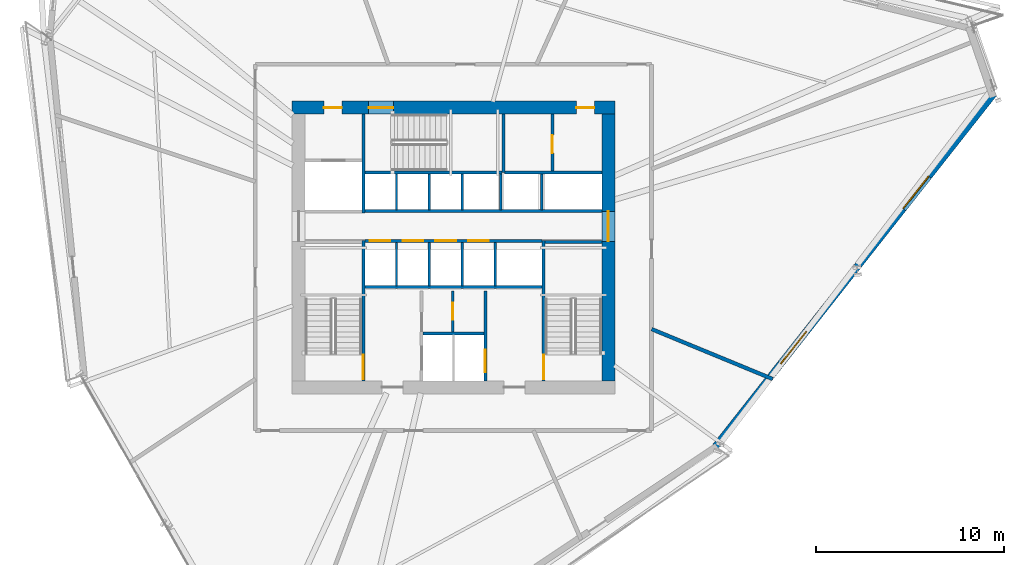
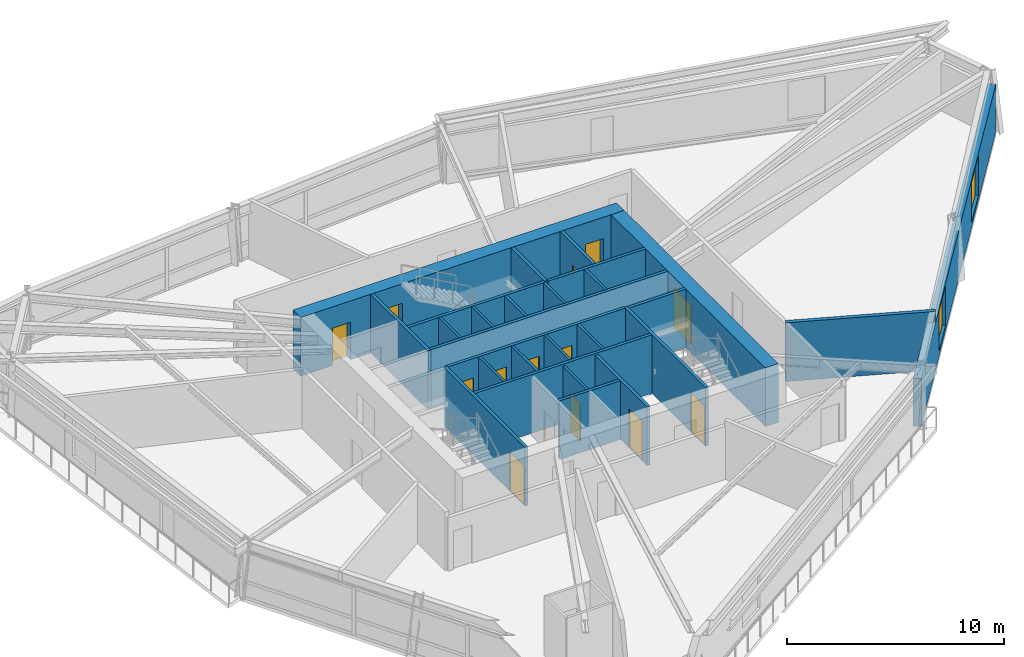
# One storey, part 13 of 18: 27 walls, 13 doors, 2 windows, 15 openings.
"""IFC4 building model written with IfcOpenShell, lengths in metres."""

from ifc_helpers import new_model, si_unit, direction, frame, frame_2d, origin, place, context, subcontext, project, spatial, rectangle, extrude, source, transform, mapped, material, layer, layer_set, type_object, type_shapes, element, fill, save


model = new_model("IFC4")

# Units and contexts
model_context = context("Model", 3, precision=1e-05, world=origin(), true_north=direction((0.0, 1.0)))
body_context = subcontext(model_context, "Body", "Model", "MODEL_VIEW")
ifc_project = project(units=[si_unit("LENGTHUNIT", "METRE"), si_unit("AREAUNIT", "SQUARE_METRE"), si_unit("VOLUMEUNIT", "CUBIC_METRE"), si_unit("PLANEANGLEUNIT", "RADIAN"), si_unit("MASSUNIT", "GRAM", prefix="KILO")], contexts=[model_context])

# Site, building, storey
site_placement = place(None, origin())
site = spatial("IfcSite", under=ifc_project, at=site_placement, CompositionType="ELEMENT")
building_placement = place(site_placement, origin())
building = spatial("IfcBuilding", under=site, at=building_placement, Name="Olszyna Solenne Hotel", CompositionType="ELEMENT")
storey_placement = place(building_placement, frame((0.0, 0.0, 112.800048828125)))
storey = spatial("IfcBuildingStorey", under=building, at=storey_placement, Name="L29", CompositionType="ELEMENT", Elevation=112.800048828125)

# Wall, openings, doors
ifc_material_1 = material(Name="Concrete C60/75", Category="concrete")
ifc_layer_1 = layer(ifc_material_1, 0.699951171875, Name="Concrete C60/75")
ifc_layer_set_1 = layer_set([ifc_layer_1], Name="Concrete C60/75")
wall_type_1 = type_object("IfcWallType", Name="WL-CR700", PredefinedType="SHEAR", material=ifc_layer_set_1)
wall_1_placement = place(storey_placement, frame((29.39990234375, 34.050048828125, 0.0), z_axis=(0.0, 0.0, 1.0), x_axis=(1.0, 0.0, 0.0)))
wall_1 = element("IfcWall", 1, at=wall_1_placement, inside=storey, type_object=wall_type_1, Name="Core shear wall WL-CR700 CRW-L29-N", PredefinedType="SHEAR", context=body_context, shape_type="SweptSolid", body=[
    extrude(rectangle(XDim=17.2001953125, YDim=0.699951171875, at=frame_2d((8.60009765625, 0.0))), origin(), (0.0, 0.0, 1.0), 3.300048828125),
])
opening_1_placement = place(wall_1_placement, frame((1.699951171875, 0.0, 0.0)))
opening_1 = element("IfcOpeningElement", 2, at=opening_1_placement, cuts=wall_1, Name="Opening SVD-L29-01", PredefinedType="OPENING", context=body_context, shape_type="SweptSolid", body=[
    extrude(rectangle(XDim=0.949951171875, YDim=2.10009765625, at=frame_2d((0.47509765625, 1.050048828125))), frame((0.0, 0.35986328125, 0.0), z_axis=(0.0, -1.0, 0.0), x_axis=(1.0, 0.0, 0.0)), (0.0, 0.0, 1.0), 0.719970703125),
])
opening_2_placement = place(wall_1_placement, frame((4.080078125, 0.0, 0.0)))
opening_2 = element("IfcOpeningElement", 3, at=opening_2_placement, cuts=wall_1, Name="Opening STD-L29-03", PredefinedType="OPENING", context=body_context, shape_type="SweptSolid", body=[
    extrude(rectangle(XDim=1.320068359375, YDim=2.199951171875, at=frame_2d((0.66015625, 1.10009765625))), frame((0.0, 0.35986328125, 0.0), z_axis=(0.0, -1.0, 0.0), x_axis=(1.0, 0.0, 0.0)), (0.0, 0.0, 1.0), 0.719970703125),
])
opening_3_placement = place(wall_1_placement, frame((15.14990234375, 0.0, 0.0)))
opening_3 = element("IfcOpeningElement", 4, at=opening_3_placement, cuts=wall_1, Name="Opening SVD-L29-BN", PredefinedType="OPENING", context=body_context, shape_type="SweptSolid", body=[
    extrude(rectangle(XDim=0.949951171875, YDim=2.10009765625, at=frame_2d((0.47509765625, 1.050048828125))), frame((0.0, 0.35986328125, 0.0), z_axis=(0.0, -1.0, 0.0), x_axis=(1.0, 0.0, 0.0)), (0.0, 0.0, 1.0), 0.719970703125),
])
ifc_material_2 = material(Name="Steel S355J2", Category="steel")
door_type_1 = type_object("IfcDoorType", Name="DR-ST1", OperationType="NOTDEFINED", PredefinedType="DOOR", material=ifc_material_2)
shared_shape_1 = source(origin(), body_context, "Body", "SweptSolid", [
    extrude(rectangle(XDim=1.320068359375, YDim=2.199951171875, at=frame_2d((0.66015625, 1.10009765625))), frame((0.0, 0.02490234375, 0.0), z_axis=(0.0, -1.0, 0.0), x_axis=(1.0, 0.0, 0.0)), (0.0, 0.0, 1.0), 0.050048828125),
])
type_shapes(door_type_1, [shared_shape_1])
door_1_placement = place(opening_2_placement, origin())
door_1 = element("IfcDoor", 5, at=door_1_placement, inside=storey, type_object=door_type_1, Name="Pressurised exit stair ST3 fire door STD-L29-03", OperationType="SINGLE_SWING_RIGHT", OverallHeight=2.199951171875, OverallWidth=1.320068359375, PredefinedType="DOOR", context=body_context, shape_type="MappedRepresentation", body=[
    mapped(shared_shape_1, transform((0.0, 0.0, 0.0), x_axis=(1.0, 0.0, 0.0), y_axis=(0.0, 1.0, 0.0), z_axis=(0.0, 0.0, 1.0), scale=1.0)),
])
fill(opening_2, door_1)
door_type_2 = type_object("IfcDoorType", Name="DR-SV1", OperationType="NOTDEFINED", PredefinedType="DOOR", material=ifc_material_2)
shared_shape_2 = source(origin(), body_context, "Body", "SweptSolid", [
    extrude(rectangle(XDim=0.949951171875, YDim=2.10009765625, at=frame_2d((0.47509765625, 1.050048828125))), frame((0.0, 0.02490234375, 0.0), z_axis=(0.0, -1.0, 0.0), x_axis=(1.0, 0.0, 0.0)), (0.0, 0.0, 1.0), 0.050048828125),
])
type_shapes(door_type_2, [shared_shape_2])
door_2_placement = place(opening_1_placement, origin())
door_2 = element("IfcDoor", 6, at=door_2_placement, inside=storey, type_object=door_type_2, Name="Service lift lobby fire door SVD-L29-01", OperationType="SINGLE_SWING_LEFT", OverallHeight=2.10009765625, OverallWidth=0.949951171875, PredefinedType="DOOR", context=body_context, shape_type="MappedRepresentation", body=[
    mapped(shared_shape_2, transform((0.0, 0.0, 0.0), x_axis=(1.0, 0.0, 0.0), y_axis=(0.0, 1.0, 0.0), z_axis=(0.0, 0.0, 1.0), scale=1.0)),
])
fill(opening_1, door_2)
door_3_placement = place(opening_3_placement, origin())
door_3 = element("IfcDoor", 7, at=door_3_placement, inside=storey, type_object=door_type_2, Name="Housekeeping core fire door SVD-L29-BN", OperationType="SINGLE_SWING_LEFT", OverallHeight=2.10009765625, OverallWidth=0.949951171875, PredefinedType="DOOR", context=body_context, shape_type="MappedRepresentation", body=[
    mapped(shared_shape_2, transform((0.0, 0.0, 0.0), x_axis=(1.0, 0.0, 0.0), y_axis=(0.0, 1.0, 0.0), z_axis=(0.0, 0.0, 1.0), scale=1.0)),
])
fill(opening_3, door_3)

# Wall, opening, door
wall_2_placement = place(storey_placement, frame((46.25, 33.699951171875, 0.0), z_axis=(0.0, 0.0, 1.0), x_axis=(0.0, -1.0, 0.0)))
wall_2 = element("IfcWall", 8, at=wall_2_placement, inside=storey, type_object=wall_type_1, Name="Core shear wall WL-CR700 CRW-L29-E", PredefinedType="SHEAR", context=body_context, shape_type="SweptSolid", body=[
    extrude(rectangle(XDim=14.199951171875, YDim=0.699951171875, at=frame_2d((7.10009765625, 0.0))), origin(), (0.0, 0.0, 1.0), 3.300048828125),
])
opening_4_placement = place(wall_2_placement, frame((5.179931640625, 0.0, 0.0)))
opening_4 = element("IfcOpeningElement", 9, at=opening_4_placement, cuts=wall_2, Name="Opening LHD-L29-E", PredefinedType="OPENING", context=body_context, shape_type="SweptSolid", body=[
    extrude(rectangle(XDim=1.60009765625, YDim=2.199951171875, at=frame_2d((0.800048828125, 1.10009765625))), frame((0.0, 0.35986328125, 0.0), z_axis=(0.0, -1.0, 0.0), x_axis=(1.0, 0.0, 0.0)), (0.0, 0.0, 1.0), 0.719970703125),
])
ifc_material_3 = material(Name="Timber hardwood", Category="wood")
door_type_3 = type_object("IfcDoorType", Name="DR-CR1", OperationType="DOUBLE_DOOR_SINGLE_SWING", PredefinedType="DOOR", material=ifc_material_3)
shared_shape_3 = source(origin(), body_context, "Body", "SweptSolid", [
    extrude(rectangle(XDim=1.60009765625, YDim=2.199951171875, at=frame_2d((0.800048828125, 1.10009765625))), frame((0.0, 0.02490234375, 0.0), z_axis=(0.0, -1.0, 0.0), x_axis=(1.0, 0.0, 0.0)), (0.0, 0.0, 1.0), 0.050048828125),
])
type_shapes(door_type_3, [shared_shape_3])
door_4_placement = place(opening_4_placement, origin())
door_4 = element("IfcDoor", 10, at=door_4_placement, inside=storey, type_object=door_type_3, Name="Passenger lift lobby East fire door LHD-L29-E", OperationType="DOUBLE_DOOR_SINGLE_SWING", OverallHeight=2.199951171875, OverallWidth=1.60009765625, PredefinedType="DOOR", context=body_context, shape_type="MappedRepresentation", body=[
    mapped(shared_shape_3, transform((0.0, 0.0, 0.0), x_axis=(1.0, 0.0, 0.0), y_axis=(0.0, 1.0, 0.0), z_axis=(0.0, 0.0, 1.0), scale=1.0)),
])
fill(opening_4, door_4)

# Wall, openings, windows
ifc_material_4 = material(Name="Terracotta cladding on precast concrete C45/55", Category="masonry")
ifc_layer_2 = layer(ifc_material_4, 0.3798828125, Name="Terracotta cladding on precast concrete C45/55")
ifc_layer_set_2 = layer_set([ifc_layer_2], Name="Terracotta cladding on precast concrete C45/55")
wall_type_2 = type_object("IfcWallType", Name="WL-EX380", PredefinedType="SOLIDWALL", material=ifc_layer_set_2)
wall_3_placement = place(storey_placement, frame((66.771240234375, 34.791259765625, 0.0), z_axis=(0.0, 0.0, 1.0), x_axis=(-0.619144125254, -0.785277372757, 0.0)))
wall_3 = element("IfcWall", 11, at=wall_3_placement, inside=storey, type_object=wall_type_2, Name="Exterior terracotta-precast frame wall WL-EX380 EW-L29-10", PredefinedType="SOLIDWALL", context=body_context, shape_type="SweptSolid", body=[
    extrude(rectangle(XDim=23.919921875, YDim=0.3798828125, at=frame_2d((11.9599609375, 0.0))), origin(), (0.0, 0.0, 1.0), 2.69189453125),
])
opening_5_placement = place(wall_3_placement, frame((5.597900390625, 0.0, 0.322021484375)))
opening_5 = element("IfcOpeningElement", 12, at=opening_5_placement, cuts=wall_3, Name="Opening WN-L29-166", PredefinedType="OPENING", context=body_context, shape_type="SweptSolid", body=[
    extrude(rectangle(XDim=2.199951171875, YDim=2.25, at=frame_2d((1.10009765625, 1.125))), frame((0.0, 0.199951171875, 0.0), z_axis=(0.0, -1.0, 0.0), x_axis=(1.0, 0.0, 0.0)), (0.0, 0.0, 1.0), 0.39990234375),
])
opening_6_placement = place(wall_3_placement, frame((16.1220703125, 0.0, 0.322021484375)))
opening_6 = element("IfcOpeningElement", 13, at=opening_6_placement, cuts=wall_3, Name="Opening WN-L29-167", PredefinedType="OPENING", context=body_context, shape_type="SweptSolid", body=[
    extrude(rectangle(XDim=2.199951171875, YDim=2.25, at=frame_2d((1.10009765625, 1.125))), frame((0.0, 0.199951171875, 0.0), z_axis=(0.0, -1.0, 0.0), x_axis=(1.0, 0.0, 0.0)), (0.0, 0.0, 1.0), 0.39990234375),
])
ifc_material_5 = material(Name="Low-E triple glazing", Category="glass")
window_type = type_object("IfcWindowType", Name="WN-HT2", PartitioningType="SINGLE_PANEL", PredefinedType="WINDOW", material=ifc_material_5)
shared_shape_4 = source(origin(), body_context, "Body", "SweptSolid", [
    extrude(rectangle(XDim=2.199951171875, YDim=2.25, at=frame_2d((1.10009765625, 1.125))), frame((0.0, 0.030029296875, 0.0), z_axis=(0.0, -1.0, 0.0), x_axis=(1.0, 0.0, 0.0)), (0.0, 0.0, 1.0), 0.06005859375),
])
type_shapes(window_type, [shared_shape_4])
window_1_placement = place(opening_5_placement, origin())
window_1 = element("IfcWindow", 14, at=window_1_placement, inside=storey, type_object=window_type, Name="Exterior facade window WN-HT2 WN-L29-166", OverallHeight=2.25, OverallWidth=2.199951171875, PartitioningType="SINGLE_PANEL", PredefinedType="WINDOW", context=body_context, shape_type="MappedRepresentation", body=[
    mapped(shared_shape_4, transform((0.0, 0.0, 0.0), x_axis=(1.0, 0.0, 0.0), y_axis=(0.0, 1.0, 0.0), z_axis=(0.0, 0.0, 1.0), scale=1.0)),
])
fill(opening_5, window_1)
window_2_placement = place(opening_6_placement, origin())
window_2 = element("IfcWindow", 15, at=window_2_placement, inside=storey, type_object=window_type, Name="Exterior facade window WN-HT2 WN-L29-167", OverallHeight=2.25, OverallWidth=2.199951171875, PartitioningType="SINGLE_PANEL", PredefinedType="WINDOW", context=body_context, shape_type="MappedRepresentation", body=[
    mapped(shared_shape_4, transform((0.0, 0.0, 0.0), x_axis=(1.0, 0.0, 0.0), y_axis=(0.0, 1.0, 0.0), z_axis=(0.0, 0.0, 1.0), scale=1.0)),
])
fill(opening_6, window_2)

# Wall, opening, door
ifc_material_6 = material(Name="Acoustic gypsum partition", Category="gypsum")
ifc_layer_3 = layer(ifc_material_6, 0.125, Name="Acoustic gypsum partition")
ifc_layer_set_3 = layer_set([ifc_layer_3], Name="Acoustic gypsum partition")
wall_type_3 = type_object("IfcWallType", Name="WL-PT125", PredefinedType="PARTITIONING", material=ifc_layer_set_3)
wall_4_placement = place(storey_placement, frame((37.9599609375, 22.10009765625, 0.0), z_axis=(0.0, 0.0, 1.0), x_axis=(0.0, 1.0, 0.0)))
wall_4 = element("IfcWall", 16, at=wall_4_placement, inside=storey, type_object=wall_type_3, Name="Core shaft compartment wall CW-L29-SC1", PredefinedType="PARTITIONING", context=body_context, shape_type="SweptSolid", body=[
    extrude(rectangle(XDim=2.179931640625, YDim=0.125, at=frame_2d((1.08984375, 0.0))), origin(), (0.0, 0.0, 1.0), 3.300048828125),
])
opening_7_placement = place(wall_4_placement, frame((0.64990234375, 0.0, 0.0)))
opening_7 = element("IfcOpeningElement", 17, at=opening_7_placement, cuts=wall_4, Name="Opening SVD-L29-SC1", PredefinedType="OPENING", context=body_context, shape_type="SweptSolid", body=[
    extrude(rectangle(XDim=0.89990234375, YDim=2.10009765625, at=frame_2d((0.449951171875, 1.050048828125))), frame((0.0, 0.072509765625, 0.0), z_axis=(0.0, -1.0, 0.0), x_axis=(1.0, 0.0, 0.0)), (0.0, 0.0, 1.0), 0.14501953125),
])
door_type_4 = type_object("IfcDoorType", Name="DR-WC1", OperationType="NOTDEFINED", PredefinedType="DOOR", material=ifc_material_3)
shared_shape_5 = source(origin(), body_context, "Body", "SweptSolid", [
    extrude(rectangle(XDim=0.89990234375, YDim=2.10009765625, at=frame_2d((0.449951171875, 1.050048828125))), frame((0.0, 0.02490234375, 0.0), z_axis=(0.0, -1.0, 0.0), x_axis=(1.0, 0.0, 0.0)), (0.0, 0.0, 1.0), 0.050048828125),
])
type_shapes(door_type_4, [shared_shape_5])
door_5_placement = place(opening_7_placement, origin())
door_5 = element("IfcDoor", 18, at=door_5_placement, inside=storey, type_object=door_type_4, Name="Pantry locker door SVD-L29-SC1", OperationType="SINGLE_SWING_LEFT", OverallHeight=2.10009765625, OverallWidth=0.89990234375, PredefinedType="DOOR", context=body_context, shape_type="MappedRepresentation", body=[
    mapped(shared_shape_5, transform((0.0, 0.0, 0.0), x_axis=(1.0, 0.0, 0.0), y_axis=(0.0, 1.0, 0.0), z_axis=(0.0, 0.0, 1.0), scale=1.0)),
])
fill(opening_7, door_5)

# Walls
for number, where, z_axis, x_axis, name in (
    (19, (34.965087890625, 24.56005859375, 0.0), (0.0, 0.0, 1.0), (0.0, 1.0, 0.0), "Core shaft compartment wall CW-L29-DIVS349"),
    (20, (36.715087890625, 24.56005859375, 0.0), (0.0, 0.0, 1.0), (0.0, 1.0, 0.0), "Core shaft compartment wall CW-L29-DIVS367"),
    (21, (38.465087890625, 24.56005859375, 0.0), (0.0, 0.0, 1.0), (0.0, 1.0, 0.0), "Core shaft compartment wall CW-L29-DIVS384"),
    (22, (40.215087890625, 24.56005859375, 0.0), (0.0, 0.0, 1.0), (0.0, 1.0, 0.0), "Core shaft compartment wall CW-L29-DIVS402"),
):
    element("IfcWall", number, at=place(storey_placement, frame(where, z_axis=z_axis, x_axis=x_axis)), inside=storey, type_object=wall_type_3, Name=name, PredefinedType="PARTITIONING", context=body_context, shape_type="SweptSolid", body=[
        extrude(rectangle(XDim=2.31005859375, YDim=0.125, at=frame_2d((1.155029296875, 0.0))), origin(), (0.0, 0.0, 1.0), 3.300048828125),
    ])
for number, where, z_axis, x_axis, name in (
    (23, (34.965087890625, 28.60009765625, 0.0), (0.0, 0.0, 1.0), (0.0, 1.0, 0.0), "Core shaft compartment wall CW-L29-DIVN349"),
    (24, (36.715087890625, 28.60009765625, 0.0), (0.0, 0.0, 1.0), (0.0, 1.0, 0.0), "Core shaft compartment wall CW-L29-DIVN367"),
    (25, (38.465087890625, 28.60009765625, 0.0), (0.0, 0.0, 1.0), (0.0, 1.0, 0.0), "Core shaft compartment wall CW-L29-DIVN384"),
    (26, (40.52490234375, 28.60009765625, 0.0), (0.0, 0.0, 1.0), (0.0, 1.0, 0.0), "Core shaft compartment wall CW-L29-DIVEX405"),
    (27, (42.699951171875, 28.60009765625, 0.0), (0.0, 0.0, 1.0), (0.0, 1.0, 0.0), "Core shaft compartment wall CW-L29-DIVEX427"),
):
    element("IfcWall", number, at=place(storey_placement, frame(where, z_axis=z_axis, x_axis=x_axis)), inside=storey, type_object=wall_type_3, Name=name, PredefinedType="PARTITIONING", context=body_context, shape_type="SweptSolid", body=[
        extrude(rectangle(XDim=1.919921875, YDim=0.125, at=frame_2d((0.9599609375, 0.0))), origin(), (0.0, 0.0, 1.0), 3.300048828125),
    ])

# Wall, opening, door
ifc_layer_4 = layer(ifc_material_6, 0.159912109375, Name="Acoustic gypsum partition")
ifc_layer_set_4 = layer_set([ifc_layer_4], Name="Acoustic gypsum partition")
wall_type_4 = type_object("IfcWallType", Name="WL-PT160", PredefinedType="PARTITIONING", material=ifc_layer_set_4)
wall_5_placement = place(storey_placement, frame((33.199951171875, 19.5, 0.0), z_axis=(0.0, 0.0, 1.0), x_axis=(0.0, 1.0, 0.0)))
wall_5 = element("IfcWall", 28, at=wall_5_placement, inside=storey, type_object=wall_type_4, Name="Core shaft compartment wall CW-L29-ST1E", PredefinedType="PARTITIONING", context=body_context, shape_type="SweptSolid", body=[
    extrude(rectangle(XDim=7.4599609375, YDim=0.159912109375, at=frame_2d((3.72998046875, 0.0))), origin(), (0.0, 0.0, 1.0), 3.300048828125),
])
opening_8_placement = place(wall_5_placement, frame((0.080078125, 0.0, 0.0)))
opening_8 = element("IfcOpeningElement", 29, at=opening_8_placement, cuts=wall_5, Name="Opening STD-L29-01", PredefinedType="OPENING", context=body_context, shape_type="SweptSolid", body=[
    extrude(rectangle(XDim=1.320068359375, YDim=2.199951171875, at=frame_2d((0.66015625, 1.10009765625))), frame((0.0, 0.08984375, 0.0), z_axis=(0.0, -1.0, 0.0), x_axis=(1.0, 0.0, 0.0)), (0.0, 0.0, 1.0), 0.179931640625),
])
door_6_placement = place(opening_8_placement, origin())
door_6 = element("IfcDoor", 30, at=door_6_placement, inside=storey, type_object=door_type_1, Name="Pressurised exit stair ST1 fire door STD-L29-01", OperationType="SINGLE_SWING_LEFT", OverallHeight=2.199951171875, OverallWidth=1.320068359375, PredefinedType="DOOR", context=body_context, shape_type="MappedRepresentation", body=[
    mapped(shared_shape_1, transform((0.0, 0.0, 0.0), x_axis=(1.0, 0.0, 0.0), y_axis=(0.0, 1.0, 0.0), z_axis=(0.0, 0.0, 1.0), scale=1.0)),
])
fill(opening_8, door_6)

wall_6_placement = place(storey_placement, frame((42.800048828125, 26.9599609375, 0.0), z_axis=(0.0, 0.0, 1.0), x_axis=(0.0, -1.0, 0.0)))
wall_6 = element("IfcWall", 31, at=wall_6_placement, inside=storey, type_object=wall_type_4, Name="Core shaft compartment wall CW-L29-ST2W", PredefinedType="PARTITIONING", context=body_context, shape_type="SweptSolid", body=[
    extrude(rectangle(XDim=7.4599609375, YDim=0.159912109375, at=frame_2d((3.72998046875, 0.0))), origin(), (0.0, 0.0, 1.0), 3.300048828125),
])
opening_9_placement = place(wall_6_placement, frame((6.06005859375, 0.0, 0.0)))
opening_9 = element("IfcOpeningElement", 32, at=opening_9_placement, cuts=wall_6, Name="Opening STD-L29-02", PredefinedType="OPENING", context=body_context, shape_type="SweptSolid", body=[
    extrude(rectangle(XDim=1.320068359375, YDim=2.199951171875, at=frame_2d((0.66015625, 1.10009765625))), frame((0.0, 0.08984375, 0.0), z_axis=(0.0, -1.0, 0.0), x_axis=(1.0, 0.0, 0.0)), (0.0, 0.0, 1.0), 0.179931640625),
])
door_7_placement = place(opening_9_placement, origin())
door_7 = element("IfcDoor", 33, at=door_7_placement, inside=storey, type_object=door_type_1, Name="Pressurised exit stair ST2 fire door STD-L29-02", OperationType="SINGLE_SWING_RIGHT", OverallHeight=2.199951171875, OverallWidth=1.320068359375, PredefinedType="DOOR", context=body_context, shape_type="MappedRepresentation", body=[
    mapped(shared_shape_1, transform((0.0, 0.0, 0.0), x_axis=(1.0, 0.0, 0.0), y_axis=(0.0, 1.0, 0.0), z_axis=(0.0, 0.0, 1.0), scale=1.0)),
])
fill(opening_9, door_7)

# Walls
wall_7_placement = place(storey_placement, frame((42.8798828125, 26.8798828125, 0.0), z_axis=(0.0, 0.0, 1.0), x_axis=(1.0, 0.0, 0.0)))
element("IfcWall", 34, at=wall_7_placement, inside=storey, type_object=wall_type_4, Name="Core shaft compartment wall CW-L29-ST2N", PredefinedType="PARTITIONING", context=body_context, shape_type="SweptSolid", body=[
    extrude(rectangle(XDim=3.02001953125, YDim=0.159912109375, at=frame_2d((1.510009765625, 0.0))), origin(), (0.0, 0.0, 1.0), 3.300048828125),
])
wall_8_placement = place(storey_placement, frame((33.280029296875, 30.60009765625, 0.0), z_axis=(0.0, 0.0, 1.0), x_axis=(1.0, 0.0, 0.0)))
element("IfcWall", 35, at=wall_8_placement, inside=storey, type_object=wall_type_4, Name="Core shaft compartment wall CW-L29-ST3S", PredefinedType="PARTITIONING", context=body_context, shape_type="SweptSolid", body=[
    extrude(rectangle(XDim=7.300048828125, YDim=0.159912109375, at=frame_2d((3.64990234375, 0.0))), origin(), (0.0, 0.0, 1.0), 3.300048828125),
])
wall_9_placement = place(storey_placement, frame((40.659912109375, 30.60009765625, 0.0), z_axis=(0.0, 0.0, 1.0), x_axis=(0.0, 1.0, 0.0)))
element("IfcWall", 36, at=wall_9_placement, inside=storey, type_object=wall_type_4, Name="Core shaft compartment wall CW-L29-ST3E", PredefinedType="PARTITIONING", context=body_context, shape_type="SweptSolid", body=[
    extrude(rectangle(XDim=3.099853515625, YDim=0.159912109375, at=frame_2d((1.5498046875, 0.0))), origin(), (0.0, 0.0, 1.0), 3.300048828125),
])

# Wall, opening, door
wall_10_placement = place(storey_placement, frame((39.699951171875, 24.280029296875, 0.0), z_axis=(0.0, 0.0, 1.0), x_axis=(0.0, -1.0, 0.0)))
wall_10 = element("IfcWall", 37, at=wall_10_placement, inside=storey, type_object=wall_type_4, Name="Core shaft compartment wall CW-L29-FF2E", PredefinedType="PARTITIONING", context=body_context, shape_type="SweptSolid", body=[
    extrude(rectangle(XDim=4.780029296875, YDim=0.159912109375, at=frame_2d((2.39013671875, 0.0))), origin(), (0.0, 0.0, 1.0), 3.300048828125),
])
opening_10_placement = place(wall_10_placement, frame((3.1201171875, 0.0, 0.0)))
opening_10 = element("IfcOpeningElement", 38, at=opening_10_placement, cuts=wall_10, Name="Opening LD-L29-FF2", PredefinedType="OPENING", context=body_context, shape_type="SweptSolid", body=[
    extrude(rectangle(XDim=1.199951171875, YDim=2.199951171875, at=frame_2d((0.60009765625, 1.10009765625))), frame((0.0, 0.08984375, 0.0), z_axis=(0.0, -1.0, 0.0), x_axis=(1.0, 0.0, 0.0)), (0.0, 0.0, 1.0), 0.179931640625),
])
door_type_5 = type_object("IfcDoorType", Name="LD-FF1", OperationType="DOUBLE_DOOR_SLIDING", PredefinedType="DOOR", material=ifc_material_2)
shared_shape_6 = source(origin(), body_context, "Body", "SweptSolid", [
    extrude(rectangle(XDim=1.199951171875, YDim=2.199951171875, at=frame_2d((0.60009765625, 1.10009765625))), frame((0.0, 0.02490234375, 0.0), z_axis=(0.0, -1.0, 0.0), x_axis=(1.0, 0.0, 0.0)), (0.0, 0.0, 1.0), 0.050048828125),
])
type_shapes(door_type_5, [shared_shape_6])
door_8_placement = place(opening_10_placement, origin())
door_8 = element("IfcDoor", 39, at=door_8_placement, inside=storey, type_object=door_type_5, Name="Firefighters lift FF2 sliding landing door LD-L29-FF2", OperationType="DOUBLE_DOOR_SLIDING", OverallHeight=2.199951171875, OverallWidth=1.199951171875, PredefinedType="DOOR", context=body_context, shape_type="MappedRepresentation", body=[
    mapped(shared_shape_6, transform((0.0, 0.0, 0.0), x_axis=(1.0, 0.0, 0.0), y_axis=(0.0, 1.0, 0.0), z_axis=(0.0, 0.0, 1.0), scale=1.0)),
])
fill(opening_10, door_8)

# Walls
wall_11_placement = place(storey_placement, frame((36.3798828125, 22.02001953125, 0.0), z_axis=(0.0, 0.0, 1.0), x_axis=(1.0, 0.0, 0.0)))
element("IfcWall", 40, at=wall_11_placement, inside=storey, type_object=wall_type_4, Name="Core shaft compartment wall CW-L29-FFN", PredefinedType="PARTITIONING", context=body_context, shape_type="SweptSolid", body=[
    extrude(rectangle(XDim=3.240234375, YDim=0.159912109375, at=frame_2d((1.6201171875, 0.0))), origin(), (0.0, 0.0, 1.0), 3.300048828125),
])
wall_12_placement = place(storey_placement, frame((33.280029296875, 24.489990234375, 0.0), z_axis=(0.0, 0.0, 1.0), x_axis=(1.0, 0.0, 0.0)))
element("IfcWall", 41, at=wall_12_placement, inside=storey, type_object=wall_type_4, Name="Core shaft compartment wall CW-L29-FFBN", PredefinedType="PARTITIONING", context=body_context, shape_type="SweptSolid", body=[
    extrude(rectangle(XDim=9.43994140625, YDim=0.159912109375, at=frame_2d((4.719970703125, 0.0))), origin(), (0.0, 0.0, 1.0), 3.300048828125),
])
wall_13_placement = place(storey_placement, frame((33.199951171875, 28.43994140625, 0.0), z_axis=(0.0, 0.0, 1.0), x_axis=(0.0, 1.0, 0.0)))
element("IfcWall", 42, at=wall_13_placement, inside=storey, type_object=wall_type_4, Name="Core shaft compartment wall CW-L29-SV1E", PredefinedType="PARTITIONING", context=body_context, shape_type="SweptSolid", body=[
    extrude(rectangle(XDim=5.260009765625, YDim=0.159912109375, at=frame_2d((2.6298828125, 0.0))), origin(), (0.0, 0.0, 1.0), 3.300048828125),
])

# Wall, openings, doors
wall_14_placement = place(storey_placement, frame((33.280029296875, 26.949951171875, 0.0), z_axis=(0.0, 0.0, 1.0), x_axis=(1.0, 0.0, 0.0)))
wall_14 = element("IfcWall", 43, at=wall_14_placement, inside=storey, type_object=wall_type_4, Name="Core shaft compartment wall CW-L29-LRS", PredefinedType="PARTITIONING", context=body_context, shape_type="SweptSolid", body=[
    extrude(rectangle(XDim=9.43994140625, YDim=0.159912109375, at=frame_2d((4.719970703125, 0.0))), origin(), (0.0, 0.0, 1.0), 3.300048828125),
])
opening_11_placement = place(wall_14_placement, frame((0.260009765625, 0.0, 0.0)))
opening_11 = element("IfcOpeningElement", 44, at=opening_11_placement, cuts=wall_14, Name="Opening LD-L29-PL1", PredefinedType="OPENING", context=body_context, shape_type="SweptSolid", body=[
    extrude(rectangle(XDim=1.10009765625, YDim=2.199951171875, at=frame_2d((0.550048828125, 1.10009765625))), frame((0.0, 0.08984375, 0.0), z_axis=(0.0, -1.0, 0.0), x_axis=(1.0, 0.0, 0.0)), (0.0, 0.0, 1.0), 0.179931640625),
])
opening_12_placement = place(wall_14_placement, frame((2.010009765625, 0.0, 0.0)))
opening_12 = element("IfcOpeningElement", 45, at=opening_12_placement, cuts=wall_14, Name="Opening LD-L29-PL2", PredefinedType="OPENING", context=body_context, shape_type="SweptSolid", body=[
    extrude(rectangle(XDim=1.10009765625, YDim=2.199951171875, at=frame_2d((0.550048828125, 1.10009765625))), frame((0.0, 0.08984375, 0.0), z_axis=(0.0, -1.0, 0.0), x_axis=(1.0, 0.0, 0.0)), (0.0, 0.0, 1.0), 0.179931640625),
])
opening_13_placement = place(wall_14_placement, frame((3.760009765625, 0.0, 0.0)))
opening_13 = element("IfcOpeningElement", 46, at=opening_13_placement, cuts=wall_14, Name="Opening LD-L29-PL3", PredefinedType="OPENING", context=body_context, shape_type="SweptSolid", body=[
    extrude(rectangle(XDim=1.10009765625, YDim=2.199951171875, at=frame_2d((0.550048828125, 1.10009765625))), frame((0.0, 0.08984375, 0.0), z_axis=(0.0, -1.0, 0.0), x_axis=(1.0, 0.0, 0.0)), (0.0, 0.0, 1.0), 0.179931640625),
])
opening_14_placement = place(wall_14_placement, frame((5.510009765625, 0.0, 0.0)))
opening_14 = element("IfcOpeningElement", 47, at=opening_14_placement, cuts=wall_14, Name="Opening LD-L29-PL4", PredefinedType="OPENING", context=body_context, shape_type="SweptSolid", body=[
    extrude(rectangle(XDim=1.10009765625, YDim=2.199951171875, at=frame_2d((0.550048828125, 1.10009765625))), frame((0.0, 0.08984375, 0.0), z_axis=(0.0, -1.0, 0.0), x_axis=(1.0, 0.0, 0.0)), (0.0, 0.0, 1.0), 0.179931640625),
])
door_type_6 = type_object("IfcDoorType", Name="LD-P1", OperationType="DOUBLE_DOOR_SLIDING", PredefinedType="DOOR", material=ifc_material_2)
shared_shape_7 = source(origin(), body_context, "Body", "SweptSolid", [
    extrude(rectangle(XDim=1.10009765625, YDim=2.199951171875, at=frame_2d((0.550048828125, 1.10009765625))), frame((0.0, 0.02490234375, 0.0), z_axis=(0.0, -1.0, 0.0), x_axis=(1.0, 0.0, 0.0)), (0.0, 0.0, 1.0), 0.050048828125),
])
type_shapes(door_type_6, [shared_shape_7])
door_9_placement = place(opening_11_placement, origin())
door_9 = element("IfcDoor", 48, at=door_9_placement, inside=storey, type_object=door_type_6, Name="Passenger lift PL1 sliding landing door LD-L29-PL1", OperationType="DOUBLE_DOOR_SLIDING", OverallHeight=2.199951171875, OverallWidth=1.10009765625, PredefinedType="DOOR", context=body_context, shape_type="MappedRepresentation", body=[
    mapped(shared_shape_7, transform((0.0, 0.0, 0.0), x_axis=(1.0, 0.0, 0.0), y_axis=(0.0, 1.0, 0.0), z_axis=(0.0, 0.0, 1.0), scale=1.0)),
])
fill(opening_11, door_9)
door_10_placement = place(opening_12_placement, origin())
door_10 = element("IfcDoor", 49, at=door_10_placement, inside=storey, type_object=door_type_6, Name="Passenger lift PL2 sliding landing door LD-L29-PL2", OperationType="DOUBLE_DOOR_SLIDING", OverallHeight=2.199951171875, OverallWidth=1.10009765625, PredefinedType="DOOR", context=body_context, shape_type="MappedRepresentation", body=[
    mapped(shared_shape_7, transform((0.0, 0.0, 0.0), x_axis=(1.0, 0.0, 0.0), y_axis=(0.0, 1.0, 0.0), z_axis=(0.0, 0.0, 1.0), scale=1.0)),
])
fill(opening_12, door_10)
door_11_placement = place(opening_13_placement, origin())
door_11 = element("IfcDoor", 50, at=door_11_placement, inside=storey, type_object=door_type_6, Name="Passenger lift PL3 sliding landing door LD-L29-PL3", OperationType="DOUBLE_DOOR_SLIDING", OverallHeight=2.199951171875, OverallWidth=1.10009765625, PredefinedType="DOOR", context=body_context, shape_type="MappedRepresentation", body=[
    mapped(shared_shape_7, transform((0.0, 0.0, 0.0), x_axis=(1.0, 0.0, 0.0), y_axis=(0.0, 1.0, 0.0), z_axis=(0.0, 0.0, 1.0), scale=1.0)),
])
fill(opening_13, door_11)
door_12_placement = place(opening_14_placement, origin())
door_12 = element("IfcDoor", 51, at=door_12_placement, inside=storey, type_object=door_type_6, Name="Passenger lift PL4 sliding landing door LD-L29-PL4", OperationType="DOUBLE_DOOR_SLIDING", OverallHeight=2.199951171875, OverallWidth=1.10009765625, PredefinedType="DOOR", context=body_context, shape_type="MappedRepresentation", body=[
    mapped(shared_shape_7, transform((0.0, 0.0, 0.0), x_axis=(1.0, 0.0, 0.0), y_axis=(0.0, 1.0, 0.0), z_axis=(0.0, 0.0, 1.0), scale=1.0)),
])
fill(opening_14, door_12)

# Walls
wall_15_placement = place(storey_placement, frame((33.280029296875, 28.5400390625, 0.0), z_axis=(0.0, 0.0, 1.0), x_axis=(1.0, 0.0, 0.0)))
element("IfcWall", 52, at=wall_15_placement, inside=storey, type_object=wall_type_4, Name="Core shaft compartment wall CW-L29-LRN", PredefinedType="PARTITIONING", context=body_context, shape_type="SweptSolid", body=[
    extrude(rectangle(XDim=12.619873046875, YDim=0.159912109375, at=frame_2d((6.31005859375, 0.0))), origin(), (0.0, 0.0, 1.0), 3.300048828125),
])
wall_16_placement = place(storey_placement, frame((40.719970703125, 30.60009765625, 0.0), z_axis=(0.0, 0.0, 1.0), x_axis=(1.0, 0.0, 0.0)))
element("IfcWall", 53, at=wall_16_placement, inside=storey, type_object=wall_type_4, Name="Core shaft compartment wall CW-L29-LRNTOP", PredefinedType="PARTITIONING", context=body_context, shape_type="SweptSolid", body=[
    extrude(rectangle(XDim=5.179931640625, YDim=0.159912109375, at=frame_2d((2.58984375, 0.0))), origin(), (0.0, 0.0, 1.0), 3.300048828125),
])

# Wall, opening, door
wall_17_placement = place(storey_placement, frame((43.27001953125, 30.679931640625, 0.0), z_axis=(0.0, 0.0, 1.0), x_axis=(0.0, 1.0, 0.0)))
wall_17 = element("IfcWall", 54, at=wall_17_placement, inside=storey, type_object=wall_type_4, Name="Core shaft compartment wall CW-L29-BOH1", PredefinedType="PARTITIONING", context=body_context, shape_type="SweptSolid", body=[
    extrude(rectangle(XDim=3.02001953125, YDim=0.159912109375, at=frame_2d((1.510009765625, 0.0))), origin(), (0.0, 0.0, 1.0), 3.300048828125),
])
opening_15_placement = place(wall_17_placement, frame((0.949951171875, 0.0, 0.0)))
opening_15 = element("IfcOpeningElement", 55, at=opening_15_placement, cuts=wall_17, Name="Opening SVD-L29-BI1", PredefinedType="OPENING", context=body_context, shape_type="SweptSolid", body=[
    extrude(rectangle(XDim=0.949951171875, YDim=2.10009765625, at=frame_2d((0.47509765625, 1.050048828125))), frame((0.0, 0.08984375, 0.0), z_axis=(0.0, -1.0, 0.0), x_axis=(1.0, 0.0, 0.0)), (0.0, 0.0, 1.0), 0.179931640625),
])
door_13_placement = place(opening_15_placement, origin())
door_13 = element("IfcDoor", 56, at=door_13_placement, inside=storey, type_object=door_type_2, Name="BOH inter-room fire door SVD-L29-BI1", OperationType="SINGLE_SWING_LEFT", OverallHeight=2.10009765625, OverallWidth=0.949951171875, PredefinedType="DOOR", context=body_context, shape_type="MappedRepresentation", body=[
    mapped(shared_shape_2, transform((0.0, 0.0, 0.0), x_axis=(1.0, 0.0, 0.0), y_axis=(0.0, 1.0, 0.0), z_axis=(0.0, 0.0, 1.0), scale=1.0)),
])
fill(opening_15, door_13)

# Wall
ifc_layer_5 = layer(ifc_material_6, 0.199951171875, Name="Acoustic gypsum partition")
ifc_layer_set_5 = layer_set([ifc_layer_5], Name="Acoustic gypsum partition")
wall_type_5 = type_object("IfcWallType", Name="WL-PT200", PredefinedType="PARTITIONING", material=ifc_layer_set_5)
wall_18_placement = place(storey_placement, frame((48.550048828125, 22.251708984375, 0.0), z_axis=(0.0, 0.0, 1.0), x_axis=(0.924536579634, -0.381093312613, 0.0)))
element("IfcWall", 57, at=wall_18_placement, inside=storey, type_object=wall_type_5, Name="Interior acoustic partition WL-PT200 PW-L29-1692", PredefinedType="PARTITIONING", context=body_context, shape_type="SweptSolid", body=[
    extrude(rectangle(XDim=6.969970703125, YDim=0.199951171875, at=frame_2d((3.48486328125, 0.0))), origin(), (0.0, 0.0, 1.0), 3.300048828125),
])

save(model, "model.ifc")
